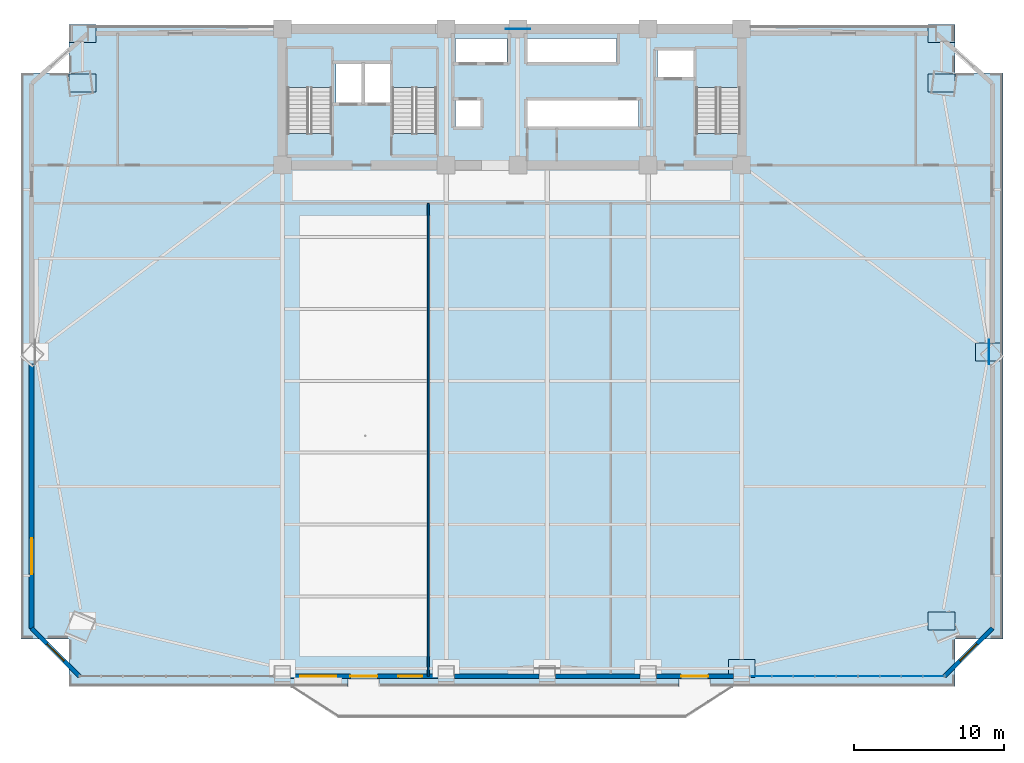
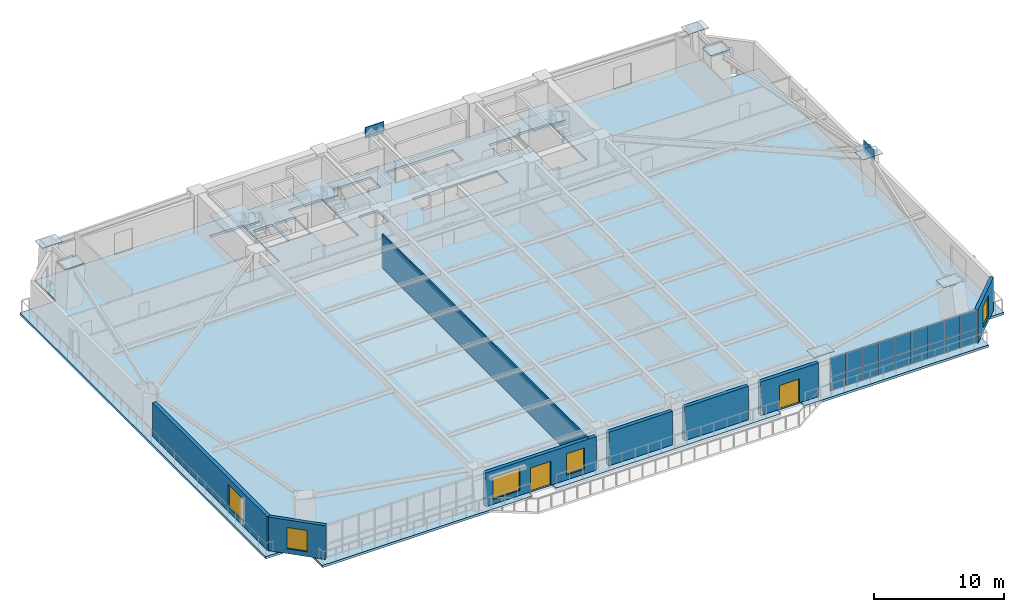
# One storey, part 8 of 17: 27 plates, 8 walls, 5 windows, 4 slabs, 2 doors, 7 openings, 4 elements without a shape of their own.
"""IFC4 building model written with IfcOpenShell, lengths in metres."""

import ifcopenshell
import ifcopenshell.guid

model = None  # the IFC model being written
_history = None  # IfcOwnerHistory: only IFC2X3 demands one
_inside = {}  # id of a spatial element -> (the spatial element, [elements in it])
_under = {}  # id of a project, library or spatial element -> (it, [spatial elements below it])
_declared = {}  # id of a project -> (the project, [libraries it declares])
_typed = {}  # id of a type object -> (the type object, [elements of that type])
_made_of = {}  # id of a material, layer set ... -> (it, [elements and type objects made of it])


def new_model(schema):
    """Start an empty IFC model of exactly this schema.

    Asked for "IFC4X3", IfcOpenShell would pick the latest addendum, in which some entities
    have other attributes; the version numbers below select the first issue.
    IFC2X3 requires an IfcOwnerHistory on every rooted entity: one is made here for all.
    """
    global model, _history
    if schema == "IFC4X3":
        model = ifcopenshell.file(schema_version=(4, 3, 0, 0))
    else:
        model = ifcopenshell.file(schema=schema)
    _inside.clear()
    _under.clear()
    _declared.clear()
    _typed.clear()
    _made_of.clear()
    _history = None
    if model.schema == "IFC2X3":
        org = make("IfcOrganization", Name="unknown")
        user = make(
            "IfcPersonAndOrganization",
            ThePerson=make("IfcPerson", FamilyName="unknown"),
            TheOrganization=org,
        )
        app = make(
            "IfcApplication",
            ApplicationDeveloper=org,
            Version="unknown",
            ApplicationFullName="unknown",
            ApplicationIdentifier="unknown",
        )
        _history = make(
            "IfcOwnerHistory",
            OwningUser=user,
            OwningApplication=app,
            ChangeAction="ADDED",
            CreationDate=0,
        )
    return model


def make(cls, **values):
    """One entity of the class cls with the attributes given. An attribute that is None is left unset."""
    return model.create_entity(
        cls, **{name: value for name, value in values.items() if value is not None}
    )


def rooted(cls, **values):
    """An entity with a GlobalId (a new one), such as an element, a storey or a relation."""
    return make(cls, GlobalId=ifcopenshell.guid.new(), OwnerHistory=_history, **values)


def si_unit(unit_type, name, prefix=None):
    """IfcSIUnit, for example si_unit("LENGTHUNIT", "METRE", prefix="MILLI")."""
    return make("IfcSIUnit", UnitType=unit_type, Prefix=prefix, Name=name)


def assignment(units):
    """IfcUnitAssignment: the units of a project."""
    return None if units is None else make("IfcUnitAssignment", Units=units)


def point(xyz):
    """IfcCartesianPoint."""
    return None if xyz is None else make("IfcCartesianPoint", Coordinates=xyz)


def direction(xyz):
    """IfcDirection."""
    return None if xyz is None else make("IfcDirection", DirectionRatios=xyz)


def frame(location, z_axis=None, x_axis=None):
    """IfcAxis2Placement3D, a coordinate frame: its origin and axes. An axis left out is left unset."""
    return make(
        "IfcAxis2Placement3D",
        Location=point(location),
        Axis=direction(z_axis),
        RefDirection=direction(x_axis),
    )


def frame_2d(location, x_axis=None):
    """IfcAxis2Placement2D, a coordinate frame in the plane: its origin and x axis."""
    return make(
        "IfcAxis2Placement2D", Location=point(location), RefDirection=direction(x_axis)
    )


def origin():
    """The frame at (0, 0, 0) with its axes left unset."""
    return frame((0.0, 0.0, 0.0))


def origin_2d():
    """The frame at (0, 0) in the plane with its x axis left unset."""
    return frame_2d((0.0, 0.0))


def place(relative_to, where):
    """IfcLocalPlacement: puts the frame where relative to a parent placement (None: the world)."""
    return make(
        "IfcLocalPlacement", PlacementRelTo=relative_to, RelativePlacement=where
    )


def context(
    kind, dimensions, precision=None, world=None, true_north=None, identifier=None
):
    """IfcGeometricRepresentationContext, for example the 3D "Model" context."""
    return make(
        "IfcGeometricRepresentationContext",
        ContextIdentifier=identifier,
        ContextType=kind,
        CoordinateSpaceDimension=dimensions,
        Precision=precision,
        WorldCoordinateSystem=world,
        TrueNorth=true_north,
    )


def subcontext(parent, identifier, kind, view, scale=None):
    """IfcGeometricRepresentationSubContext, for example "Body" below "Model"."""
    return make(
        "IfcGeometricRepresentationSubContext",
        ContextIdentifier=identifier,
        ContextType=kind,
        ParentContext=parent,
        TargetScale=scale,
        TargetView=view,
    )


def project(units=None, contexts=None):
    """IfcProject with its units and contexts."""
    return rooted(
        "IfcProject",
        Name="project",
        RepresentationContexts=contexts,
        UnitsInContext=assignment(units),
    )


def spatial(cls, under=None, at=None, **own):
    """A site, building, storey or space (cls), placed at a placement, below another one or the project."""
    s = rooted(cls, ObjectPlacement=at, **own)
    if under is not None:
        _under.setdefault(under.id(), (under, []))[1].append(s)
    return s


def polyline(points):
    """IfcPolyline through the points."""
    return make("IfcPolyline", Points=[point(p) for p in points])


def profile(cls, at=None, kind="AREA", **sizes):
    """A parametric profile (cls). Its sizes go by their IFC names, for example OverallWidth=200.0."""
    return make(cls, ProfileType=kind, Position=at, **sizes)


def rectangle(**sizes):
    """IfcRectangleProfileDef."""
    return profile("IfcRectangleProfileDef", **sizes)


def outline(outer, holes=None, kind="AREA"):
    """IfcArbitraryClosedProfileDef: a profile drawn as a closed curve; with holes, ...WithVoids."""
    if holes is None:
        return make("IfcArbitraryClosedProfileDef", ProfileType=kind, OuterCurve=outer)
    return make(
        "IfcArbitraryProfileDefWithVoids",
        ProfileType=kind,
        OuterCurve=outer,
        InnerCurves=holes,
    )


def extrude(swept, where, along, depth):
    """IfcExtrudedAreaSolid: the profile swept, set in the frame where, extruded along a direction by depth."""
    return make(
        "IfcExtrudedAreaSolid",
        SweptArea=swept,
        Position=where,
        ExtrudedDirection=direction(along),
        Depth=depth,
    )


def shape(context_of_items, identifier, shape_type, items):
    """IfcShapeRepresentation: the items that make up one representation, for example the "Body"."""
    return make(
        "IfcShapeRepresentation",
        ContextOfItems=context_of_items,
        RepresentationIdentifier=identifier,
        RepresentationType=shape_type,
        Items=items,
    )


def source(mapping_origin, context_of_items, identifier, shape_type, items):
    """IfcRepresentationMap: a shape defined once, which mapped items show again and again."""
    return make(
        "IfcRepresentationMap",
        MappingOrigin=mapping_origin,
        MappedRepresentation=shape(context_of_items, identifier, shape_type, items),
    )


def transform(
    local_origin,
    x_axis=None,
    y_axis=None,
    z_axis=None,
    scale=None,
    scale2=None,
    scale3=None,
    uniform=True,
):
    """IfcCartesianTransformationOperator3D, or its non-uniform kind. x_axis, y_axis, z_axis: its Axis1, 2, 3."""
    if uniform:
        return make(
            "IfcCartesianTransformationOperator3D",
            Axis1=direction(x_axis),
            Axis2=direction(y_axis),
            LocalOrigin=point(local_origin),
            Scale=scale,
            Axis3=direction(z_axis),
        )
    return make(
        "IfcCartesianTransformationOperator3DnonUniform",
        Axis1=direction(x_axis),
        Axis2=direction(y_axis),
        LocalOrigin=point(local_origin),
        Scale=scale,
        Axis3=direction(z_axis),
        Scale2=scale2,
        Scale3=scale3,
    )


def mapped(mapping_source, mapping_target):
    """IfcMappedItem: shows the shape of a source again, moved by a transform."""
    return make(
        "IfcMappedItem", MappingSource=mapping_source, MappingTarget=mapping_target
    )


def material(Name=None, Category=None):
    """IfcMaterial."""
    return make("IfcMaterial", Name=Name, Category=Category)


def layer(
    of_material, thickness, ventilated=None, Name=None, Category=None, Priority=None
):
    """IfcMaterialLayer: one layer of a wall or slab, of a material (None: an air gap)."""
    return make(
        "IfcMaterialLayer",
        Material=of_material,
        LayerThickness=thickness,
        IsVentilated=ventilated,
        Name=Name,
        Category=Category,
        Priority=Priority,
    )


def layer_set(layers, Name=None):
    """IfcMaterialLayerSet."""
    return make("IfcMaterialLayerSet", MaterialLayers=layers, LayerSetName=Name)


def made_of(thing, what):
    """Note that an element or type object is made of a material, layer set ...; save() writes the relation."""
    if what is not None:
        _made_of.setdefault(what.id(), (what, []))[1].append(thing)
    return thing


def type_object(cls, material=None, **own):
    """A type object (cls), such as IfcWallType, which elements share."""
    return made_of(rooted(cls, **own), material)


def element(
    cls,
    number,
    at=None,
    inside=None,
    cuts=None,
    type_object=None,
    material=None,
    context=None,
    identifier="Body",
    shape_type=None,
    held_by="IfcProductDefinitionShape",
    body=None,
    shapes=None,
    **own,
):
    """One element of the class cls, such as IfcWall. Its Tag is "e" and its number.

    at: its placement. inside: the storey or other place that contains it. cuts: it is an
    opening in that element (IfcRelVoidsElement). A single representation is given by context,
    identifier, shape_type and body (its items); several are given by shapes. held_by: the class
    of the entity that holds the representations. save() writes the other relations.
    """
    e = rooted(cls, Tag="e%d" % number, ObjectPlacement=at, **own)
    if body is not None:
        shapes = [shape(context, identifier, shape_type, body)]
    if shapes is not None:
        e.Representation = make(held_by, Representations=shapes)
    if inside is not None:
        _inside.setdefault(inside.id(), (inside, []))[1].append(e)
    if cuts is not None:
        rooted(
            "IfcRelVoidsElement", RelatingBuildingElement=cuts, RelatedOpeningElement=e
        )
    if type_object is not None:
        _typed.setdefault(type_object.id(), (type_object, []))[1].append(e)
    return made_of(e, material)


def fill(opening, filler):
    """IfcRelFillsElement: the door or window that sits in an opening."""
    return rooted(
        "IfcRelFillsElement",
        RelatingOpeningElement=opening,
        RelatedBuildingElement=filler,
    )


def aggregate(whole, parts):
    """IfcRelAggregates: a whole, such as a stair, and the parts it consists of."""
    return rooted("IfcRelAggregates", RelatingObject=whole, RelatedObjects=parts)


def save(model, path):
    """Write the relations noted so far, then the file.

    IfcRelAggregates (storeys below a building ...), IfcRelContainedInSpatialStructure (elements
    in a storey), IfcRelDefinesByType, IfcRelAssociatesMaterial and IfcRelDeclares: one each for
    every whole, place, type object, material and project.
    """
    for whole, parts in _under.values():
        aggregate(whole, parts)
    for where, things in _inside.values():
        rooted(
            "IfcRelContainedInSpatialStructure",
            RelatedElements=things,
            RelatingStructure=where,
        )
    for kind, things in _typed.values():
        rooted("IfcRelDefinesByType", RelatedObjects=things, RelatingType=kind)
    for what, things in _made_of.values():
        rooted("IfcRelAssociatesMaterial", RelatedObjects=things, RelatingMaterial=what)
    for by, libraries in _declared.values():
        rooted("IfcRelDeclares", RelatingContext=by, RelatedDefinitions=libraries)
    model.write(path)


model = new_model("IFC4")

# Units and contexts
model_context = context("Model", 3, precision=1e-05, world=origin(), true_north=direction((0.0, 1.0)))
body_context = subcontext(model_context, "Body", "Model", "MODEL_VIEW")
ifc_project = project(units=[si_unit("LENGTHUNIT", "METRE"), si_unit("AREAUNIT", "SQUARE_METRE"), si_unit("VOLUMEUNIT", "CUBIC_METRE"), si_unit("PLANEANGLEUNIT", "RADIAN"), si_unit("MASSUNIT", "GRAM", prefix="KILO")], contexts=[model_context])

# Site, building, storey
site_placement = place(None, origin())
site = spatial("IfcSite", under=ifc_project, at=site_placement, CompositionType="ELEMENT")
building_placement = place(site_placement, origin())
building = spatial("IfcBuilding", under=site, at=building_placement, Name="Giltprow Tower", CompositionType="ELEMENT")
storey_placement = place(building_placement, frame((0.0, 0.0, 33.199951171875)))
storey = spatial("IfcBuildingStorey", under=building, at=storey_placement, Name="L08", CompositionType="ELEMENT", Elevation=33.199951171875)

# Slab
ifc_material_1 = material(Name="Concrete C40", Category="concrete")
ifc_layer_1 = layer(ifc_material_1, 0.219970703125, Name="Concrete C40")
ifc_layer_set_1 = layer_set([ifc_layer_1], Name="Concrete C40")
slab_type_1 = type_object("IfcSlabType", Name="SLB-OFF-220", PredefinedType="FLOOR", material=ifc_layer_set_1)
slab_1_placement = place(storey_placement, frame((0.0, 0.0, -0.219970703125)))
element("IfcSlab", 1, at=slab_1_placement, inside=storey, type_object=slab_type_1, Name="L08 Structural Composite Floor Slab", PredefinedType="FLOOR", context=body_context, shape_type="SweptSolid", body=[
    extrude(outline(polyline([(5.60009765625, 2.60009765625), (5.60009765625, 5.800048828125), (2.39990234375, 5.800048828125), (2.39990234375, 43.60009765625), (5.60009765625, 43.60009765625), (5.60009765625, 46.800048828125), (64.800048828125, 46.800048828125), (64.800048828125, 43.60009765625), (68.0, 43.60009765625), (68.0, 5.800048828125), (64.800048828125, 5.800048828125), (64.800048828125, 2.60009765625), (48.449951171875, 2.60009765625), (48.449951171875, 3.1201171875), (46.35009765625, 3.1201171875), (46.35009765625, 2.60009765625), (26.35009765625, 2.60009765625), (26.35009765625, 3.1201171875), (24.25, 3.1201171875), (24.25, 2.60009765625), (5.60009765625, 2.60009765625)]), holes=[polyline([(33.10009765625, 41.800048828125), (31.419921875, 41.800048828125), (31.419921875, 40.0), (33.10009765625, 40.0), (33.10009765625, 41.800048828125)]), polyline([(23.159912109375, 39.570068359375), (23.159912109375, 45.25), (20.199951171875, 45.25), (20.199951171875, 39.570068359375), (23.159912109375, 39.570068359375)]), polyline([(30.159912109375, 45.25), (27.199951171875, 45.25), (27.199951171875, 39.570068359375), (30.159912109375, 39.570068359375), (30.159912109375, 45.25)]), polyline([(25.169921875, 41.60009765625), (25.169921875, 44.199951171875), (23.449951171875, 44.199951171875), (23.449951171875, 41.60009765625), (25.169921875, 41.60009765625)]), polyline([(27.10009765625, 41.60009765625), (27.10009765625, 44.199951171875), (25.35009765625, 44.199951171875), (25.35009765625, 41.60009765625), (27.10009765625, 41.60009765625)]), polyline([(43.659912109375, 40.0), (43.659912109375, 41.800048828125), (36.239990234375, 41.800048828125), (36.239990234375, 40.0), (43.659912109375, 40.0)]), polyline([(50.4599609375, 39.570068359375), (50.4599609375, 45.25), (47.5, 45.25), (47.5, 39.570068359375), (50.4599609375, 39.570068359375)]), polyline([(47.3798828125, 45.10009765625), (44.919921875, 45.10009765625), (44.919921875, 43.300048828125), (47.3798828125, 43.300048828125), (47.3798828125, 45.10009765625)]), polyline([(34.8798828125, 44.300048828125), (34.8798828125, 45.919921875), (31.419921875, 45.919921875), (31.419921875, 44.300048828125), (34.8798828125, 44.300048828125)]), polyline([(42.169921875, 44.300048828125), (42.169921875, 45.919921875), (36.239990234375, 45.919921875), (36.239990234375, 44.300048828125), (42.169921875, 44.300048828125)])]), origin(), (0.0, 0.0, 1.0), 0.219970703125),
])

# Stair, slab
stair_type_1 = type_object("IfcStairType", Name="STR-ST-1", PredefinedType="HALF_TURN_STAIR", material=ifc_material_1)
stair_1_placement = place(storey_placement, origin())
stair_1 = element("IfcStair", 2, at=stair_1_placement, inside=storey, type_object=stair_type_1, Name="L08 Core Exit Stair ST-1", PredefinedType="HALF_TURN_STAIR")
ifc_layer_2 = layer(ifc_material_1, 0.179931640625, Name="Concrete C40")
ifc_layer_set_2 = layer_set([ifc_layer_2], Name="Concrete C40")
slab_type_2 = type_object("IfcSlabType", Name="SLD-ST-1", PredefinedType="LANDING", material=ifc_layer_set_2)
slab_2_placement = place(storey_placement, frame((0.0, 0.0, 1.77001953125)))
slab_2 = element("IfcSlab", 3, at=slab_2_placement, type_object=slab_type_2, Name="ST-1 landing 1", PredefinedType="LANDING", context=body_context, shape_type="SweptSolid", body=[
    extrude(outline(polyline([(23.159912109375, 42.6298828125), (23.159912109375, 45.25), (20.199951171875, 45.25), (20.199951171875, 42.6298828125), (23.159912109375, 42.6298828125)])), origin(), (0.0, 0.0, 1.0), 0.179931640625),
])
aggregate(stair_1, [slab_2])

stair_type_2 = type_object("IfcStairType", Name="STR-ST-2", PredefinedType="HALF_TURN_STAIR", material=ifc_material_1)
stair_2_placement = place(storey_placement, origin())
stair_2 = element("IfcStair", 4, at=stair_2_placement, inside=storey, type_object=stair_type_2, Name="L08 Core Exit Stair ST-2", PredefinedType="HALF_TURN_STAIR")
ifc_layer_3 = layer(ifc_material_1, 0.18798828125, Name="Concrete C40")
ifc_layer_set_3 = layer_set([ifc_layer_3], Name="Concrete C40")
slab_type_3 = type_object("IfcSlabType", Name="SLD-ST-2", PredefinedType="LANDING", material=ifc_layer_set_3)
slab_3_placement = place(storey_placement, frame((0.0, 0.0, 1.761962890625)))
slab_3 = element("IfcSlab", 5, at=slab_3_placement, type_object=slab_type_3, Name="ST-2 landing 1", PredefinedType="LANDING", context=body_context, shape_type="SweptSolid", body=[
    extrude(outline(polyline([(30.159912109375, 42.6298828125), (30.159912109375, 45.25), (27.199951171875, 45.25), (27.199951171875, 42.6298828125), (30.159912109375, 42.6298828125)])), origin(), (0.0, 0.0, 1.0), 0.18798828125),
])
aggregate(stair_2, [slab_3])

stair_type_3 = type_object("IfcStairType", Name="STR-ST-3", PredefinedType="HALF_TURN_STAIR", material=ifc_material_1)
stair_3_placement = place(storey_placement, origin())
stair_3 = element("IfcStair", 6, at=stair_3_placement, inside=storey, type_object=stair_type_3, Name="L08 Core Exit Stair ST-3", PredefinedType="HALF_TURN_STAIR")
ifc_layer_4 = layer(ifc_material_1, 0.196044921875, Name="Concrete C40")
ifc_layer_set_4 = layer_set([ifc_layer_4], Name="Concrete C40")
slab_type_4 = type_object("IfcSlabType", Name="SLD-ST-3", PredefinedType="LANDING", material=ifc_layer_set_4)
slab_4_placement = place(storey_placement, frame((0.0, 0.0, 1.754150390625)))
slab_4 = element("IfcSlab", 7, at=slab_4_placement, type_object=slab_type_4, Name="ST-3 landing 1", PredefinedType="LANDING", context=body_context, shape_type="SweptSolid", body=[
    extrude(outline(polyline([(50.4599609375, 42.6298828125), (50.4599609375, 45.25), (47.5, 45.25), (47.5, 42.6298828125), (50.4599609375, 42.6298828125)])), origin(), (0.0, 0.0, 1.0), 0.19580078125),
])
aggregate(stair_3, [slab_4])

# Plates
ifc_material_2 = material(Name="Structural steel Q420GJC", Category="steel")
plate_type_1 = type_object("IfcPlateType", Name="PLT-NODE-CKN1", PredefinedType="USERDEFINED", material=ifc_material_2)
shared_shape_1 = source(origin(), body_context, "Body", "SweptSolid", [
    extrude(rectangle(XDim=1.800048828125, YDim=1.199951171875, at=origin_2d()), origin(), (0.0, 0.0, 1.0), 0.044921875),
])
for number, where, z_axis, x_axis, name in (
    (8, (63.89111328125, 7.0009765625, 3.6376953125), (0.0, 0.0, 1.0), (1.0, 0.0, 0.0), "CKN1 Column Taper Splice Node L08-MC_SE"),
    (9, (6.509033203125, 42.926025390625, 3.6376953125), (0.0, 0.0, 1.0), (1.0, 0.0, 0.0), "CKN1 Column Taper Splice Node L08-MC_NW"),
    (10, (63.89111328125, 42.926025390625, 3.6376953125), (0.0, 0.0, 1.0), (1.0, 0.0, 0.0), "CKN1 Column Taper Splice Node L08-MC_NE"),
    (11, (50.550048828125, 3.826904296875, 3.6376953125), (0.0, 0.0, 1.0), (1.0, 0.0, 0.0), "CKN1 Column Taper Splice Node L08-S4"),
    (12, (67.06494140625, 24.962890625, 3.6376953125), (0.0, 0.0, 1.0), (1.0, 0.0, 0.0), "CKN1 Column Taper Splice Node L08-E_MID"),
    (13, (6.509033203125, 46.25, 3.6376953125), (0.0, 0.0, 1.0), (1.0, 0.0, 0.0), "CKN1 Column Taper Splice Node L08-N_W"),
    (14, (63.89111328125, 46.25, 3.6376953125), (0.0, 0.0, 1.0), (1.0, 0.0, 0.0), "CKN1 Column Taper Splice Node L08-N_E"),
):
    element("IfcPlate", number, at=place(storey_placement, frame(where, z_axis=z_axis, x_axis=x_axis)), inside=storey, type_object=plate_type_1, Name=name, ObjectType="SPLICE", PredefinedType="USERDEFINED", context=body_context, shape_type="MappedRepresentation", body=[
        mapped(shared_shape_1, transform((0.0, 0.0, 0.0), x_axis=(1.0, 0.0, 0.0), y_axis=(0.0, 1.0, 0.0), z_axis=(0.0, 0.0, 1.0), scale=1.0)),
    ])
plate_type_2 = type_object("IfcPlateType", Name="PLT-NODE-MBN2", PredefinedType="USERDEFINED", material=ifc_material_2)
shared_shape_2 = source(origin(), body_context, "Body", "SweptSolid", [
    extrude(rectangle(XDim=1.64990234375, YDim=0.044921875, at=origin_2d()), origin(), (0.0, 0.0, 1.0), 1.050048828125),
])
for number, where, z_axis, x_axis, name in (
    (15, (35.60009765625, 46.550048828125, 3.23486328125), (0.0, 0.0, 1.0), (1.0, 0.0, 0.0), "Mega-Brace Node L08-N-LB"),
    (16, (67.06494140625, 24.962890625, 3.375), (0.0, 0.0, 1.0), (0.0, 1.0, 0.0), "Mega-Brace Node L08-E-RB"),
):
    element("IfcPlate", number, at=place(storey_placement, frame(where, z_axis=z_axis, x_axis=x_axis)), inside=storey, type_object=plate_type_2, Name=name, ObjectType="GUSSET", PredefinedType="USERDEFINED", context=body_context, shape_type="MappedRepresentation", body=[
        mapped(shared_shape_2, transform((0.0, 0.0, 0.0), x_axis=(1.0, 0.0, 0.0), y_axis=(0.0, 1.0, 0.0), z_axis=(0.0, 0.0, 1.0), scale=1.0)),
    ])

# Curtain wall, plates
ifc_material_3 = material(Name="Anodized bronze", Category="metal")
ifc_layer_5 = layer(ifc_material_3, 0.179931640625, Name="Anodized bronze")
ifc_layer_set_5 = layer_set([ifc_layer_5], Name="Anodized bronze")
curtain_wall_type = type_object("IfcCurtainWallType", Name="CW-OFF-RECESSED", PredefinedType="NOTDEFINED", material=ifc_layer_set_5)
curtain_wall_placement = place(storey_placement, origin())
curtain_wall = element("IfcCurtainWall", 17, at=curtain_wall_placement, inside=storey, type_object=curtain_wall_type, Name="L08 South Recessed Curtain Wall 6", PredefinedType="NOTDEFINED")
ifc_material_4 = material(Name="Insulated glass", Category="glass")
plate_type_3 = type_object("IfcPlateType", Name="CW-PANEL-IGU-28", PredefinedType="CURTAIN_PANEL", material=ifc_material_4)
shared_shape_3 = source(origin(), body_context, "Body", "SweptSolid", [
    extrude(rectangle(XDim=1.4140625, YDim=0.028076171875, at=origin_2d()), origin(), (0.0, 0.0, 1.0), 1.259033203125),
])
plate_1_placement = place(storey_placement, frame((51.822021484375, 3.300048828125, 0.0537109375), z_axis=(0.0, 0.0, 1.0), x_axis=(1.0, 0.0, 0.0)))
plate_1 = element("IfcPlate", 18, at=plate_1_placement, type_object=plate_type_3, Name="L08 South Recessed Curtain Wall 6 Glazing Panel 1-1", PredefinedType="CURTAIN_PANEL", context=body_context, shape_type="MappedRepresentation", body=[
    mapped(shared_shape_3, transform((0.0, 0.0, 0.0), x_axis=(1.0, 0.0, 0.0), y_axis=(0.0, 1.0, 0.0), z_axis=(0.0, 0.0, 1.0), scale=1.0)),
])
plate_2_placement = place(storey_placement, frame((53.26708984375, 3.300048828125, 0.0537109375), z_axis=(0.0, 0.0, 1.0), x_axis=(1.0, 0.0, 0.0)))
plate_2 = element("IfcPlate", 19, at=plate_2_placement, type_object=plate_type_3, Name="L08 South Recessed Curtain Wall 6 Glazing Panel 2-1", PredefinedType="CURTAIN_PANEL", context=body_context, shape_type="MappedRepresentation", body=[
    mapped(shared_shape_3, transform((0.0, 0.0, 0.0), x_axis=(1.0, 0.0, 0.0), y_axis=(0.0, 1.0, 0.0), z_axis=(0.0, 0.0, 1.0), scale=1.0)),
])
plate_3_placement = place(storey_placement, frame((54.7109375, 3.300048828125, 0.0537109375), z_axis=(0.0, 0.0, 1.0), x_axis=(1.0, 0.0, 0.0)))
plate_3 = element("IfcPlate", 20, at=plate_3_placement, type_object=plate_type_3, Name="L08 South Recessed Curtain Wall 6 Glazing Panel 3-1", PredefinedType="CURTAIN_PANEL", context=body_context, shape_type="MappedRepresentation", body=[
    mapped(shared_shape_3, transform((0.0, 0.0, 0.0), x_axis=(1.0, 0.0, 0.0), y_axis=(0.0, 1.0, 0.0), z_axis=(0.0, 0.0, 1.0), scale=1.0)),
])
plate_4_placement = place(storey_placement, frame((56.156005859375, 3.300048828125, 0.0537109375), z_axis=(0.0, 0.0, 1.0), x_axis=(1.0, 0.0, 0.0)))
plate_4 = element("IfcPlate", 21, at=plate_4_placement, type_object=plate_type_3, Name="L08 South Recessed Curtain Wall 6 Glazing Panel 4-1", PredefinedType="CURTAIN_PANEL", context=body_context, shape_type="MappedRepresentation", body=[
    mapped(shared_shape_3, transform((0.0, 0.0, 0.0), x_axis=(1.0, 0.0, 0.0), y_axis=(0.0, 1.0, 0.0), z_axis=(0.0, 0.0, 1.0), scale=1.0)),
])
plate_5_placement = place(storey_placement, frame((57.60009765625, 3.300048828125, 0.0537109375), z_axis=(0.0, 0.0, 1.0), x_axis=(1.0, 0.0, 0.0)))
plate_5 = element("IfcPlate", 22, at=plate_5_placement, type_object=plate_type_3, Name="L08 South Recessed Curtain Wall 6 Glazing Panel 5-1", PredefinedType="CURTAIN_PANEL", context=body_context, shape_type="MappedRepresentation", body=[
    mapped(shared_shape_3, transform((0.0, 0.0, 0.0), x_axis=(1.0, 0.0, 0.0), y_axis=(0.0, 1.0, 0.0), z_axis=(0.0, 0.0, 1.0), scale=1.0)),
])
plate_6_placement = place(storey_placement, frame((59.0439453125, 3.300048828125, 0.0537109375), z_axis=(0.0, 0.0, 1.0), x_axis=(1.0, 0.0, 0.0)))
plate_6 = element("IfcPlate", 23, at=plate_6_placement, type_object=plate_type_3, Name="L08 South Recessed Curtain Wall 6 Glazing Panel 6-1", PredefinedType="CURTAIN_PANEL", context=body_context, shape_type="MappedRepresentation", body=[
    mapped(shared_shape_3, transform((0.0, 0.0, 0.0), x_axis=(1.0, 0.0, 0.0), y_axis=(0.0, 1.0, 0.0), z_axis=(0.0, 0.0, 1.0), scale=1.0)),
])
plate_7_placement = place(storey_placement, frame((60.489013671875, 3.300048828125, 0.0537109375), z_axis=(0.0, 0.0, 1.0), x_axis=(1.0, 0.0, 0.0)))
plate_7 = element("IfcPlate", 24, at=plate_7_placement, type_object=plate_type_3, Name="L08 South Recessed Curtain Wall 6 Glazing Panel 7-1", PredefinedType="CURTAIN_PANEL", context=body_context, shape_type="MappedRepresentation", body=[
    mapped(shared_shape_3, transform((0.0, 0.0, 0.0), x_axis=(1.0, 0.0, 0.0), y_axis=(0.0, 1.0, 0.0), z_axis=(0.0, 0.0, 1.0), scale=1.0)),
])
plate_8_placement = place(storey_placement, frame((61.93310546875, 3.300048828125, 0.0537109375), z_axis=(0.0, 0.0, 1.0), x_axis=(1.0, 0.0, 0.0)))
plate_8 = element("IfcPlate", 25, at=plate_8_placement, type_object=plate_type_3, Name="L08 South Recessed Curtain Wall 6 Glazing Panel 8-1", PredefinedType="CURTAIN_PANEL", context=body_context, shape_type="MappedRepresentation", body=[
    mapped(shared_shape_3, transform((0.0, 0.0, 0.0), x_axis=(1.0, 0.0, 0.0), y_axis=(0.0, 1.0, 0.0), z_axis=(0.0, 0.0, 1.0), scale=1.0)),
])
plate_9_placement = place(storey_placement, frame((63.3779296875, 3.300048828125, 0.0537109375), z_axis=(0.0, 0.0, 1.0), x_axis=(1.0, 0.0, 0.0)))
plate_9 = element("IfcPlate", 26, at=plate_9_placement, type_object=plate_type_3, Name="L08 South Recessed Curtain Wall 6 Glazing Panel 9-1", PredefinedType="CURTAIN_PANEL", context=body_context, shape_type="MappedRepresentation", body=[
    mapped(shared_shape_3, transform((0.0, 0.0, 0.0), x_axis=(1.0, 0.0, 0.0), y_axis=(0.0, 1.0, 0.0), z_axis=(0.0, 0.0, 1.0), scale=1.0)),
])
shared_shape_4 = source(origin(), body_context, "Body", "SweptSolid", [
    extrude(rectangle(XDim=1.4140625, YDim=0.028076171875, at=origin_2d()), origin(), (0.0, 0.0, 1.0), 1.764892578125),
])
plate_10_placement = place(storey_placement, frame((51.822021484375, 3.300048828125, 1.341796875), z_axis=(0.0, 0.0, 1.0), x_axis=(1.0, 0.0, 0.0)))
plate_10 = element("IfcPlate", 27, at=plate_10_placement, type_object=plate_type_3, Name="L08 South Recessed Curtain Wall 6 Glazing Panel 1-2", PredefinedType="CURTAIN_PANEL", context=body_context, shape_type="MappedRepresentation", body=[
    mapped(shared_shape_4, transform((0.0, 0.0, 0.0), x_axis=(1.0, 0.0, 0.0), y_axis=(0.0, 1.0, 0.0), z_axis=(0.0, 0.0, 1.0), scale=1.0)),
])
plate_11_placement = place(storey_placement, frame((53.26708984375, 3.300048828125, 1.341796875), z_axis=(0.0, 0.0, 1.0), x_axis=(1.0, 0.0, 0.0)))
plate_11 = element("IfcPlate", 28, at=plate_11_placement, type_object=plate_type_3, Name="L08 South Recessed Curtain Wall 6 Glazing Panel 2-2", PredefinedType="CURTAIN_PANEL", context=body_context, shape_type="MappedRepresentation", body=[
    mapped(shared_shape_4, transform((0.0, 0.0, 0.0), x_axis=(1.0, 0.0, 0.0), y_axis=(0.0, 1.0, 0.0), z_axis=(0.0, 0.0, 1.0), scale=1.0)),
])
plate_12_placement = place(storey_placement, frame((54.7109375, 3.300048828125, 1.341796875), z_axis=(0.0, 0.0, 1.0), x_axis=(1.0, 0.0, 0.0)))
plate_12 = element("IfcPlate", 29, at=plate_12_placement, type_object=plate_type_3, Name="L08 South Recessed Curtain Wall 6 Glazing Panel 3-2", PredefinedType="CURTAIN_PANEL", context=body_context, shape_type="MappedRepresentation", body=[
    mapped(shared_shape_4, transform((0.0, 0.0, 0.0), x_axis=(1.0, 0.0, 0.0), y_axis=(0.0, 1.0, 0.0), z_axis=(0.0, 0.0, 1.0), scale=1.0)),
])
plate_13_placement = place(storey_placement, frame((56.156005859375, 3.300048828125, 1.341796875), z_axis=(0.0, 0.0, 1.0), x_axis=(1.0, 0.0, 0.0)))
plate_13 = element("IfcPlate", 30, at=plate_13_placement, type_object=plate_type_3, Name="L08 South Recessed Curtain Wall 6 Glazing Panel 4-2", PredefinedType="CURTAIN_PANEL", context=body_context, shape_type="MappedRepresentation", body=[
    mapped(shared_shape_4, transform((0.0, 0.0, 0.0), x_axis=(1.0, 0.0, 0.0), y_axis=(0.0, 1.0, 0.0), z_axis=(0.0, 0.0, 1.0), scale=1.0)),
])
plate_14_placement = place(storey_placement, frame((57.60009765625, 3.300048828125, 1.341796875), z_axis=(0.0, 0.0, 1.0), x_axis=(1.0, 0.0, 0.0)))
plate_14 = element("IfcPlate", 31, at=plate_14_placement, type_object=plate_type_3, Name="L08 South Recessed Curtain Wall 6 Glazing Panel 5-2", PredefinedType="CURTAIN_PANEL", context=body_context, shape_type="MappedRepresentation", body=[
    mapped(shared_shape_4, transform((0.0, 0.0, 0.0), x_axis=(1.0, 0.0, 0.0), y_axis=(0.0, 1.0, 0.0), z_axis=(0.0, 0.0, 1.0), scale=1.0)),
])
plate_15_placement = place(storey_placement, frame((59.0439453125, 3.300048828125, 1.341796875), z_axis=(0.0, 0.0, 1.0), x_axis=(1.0, 0.0, 0.0)))
plate_15 = element("IfcPlate", 32, at=plate_15_placement, type_object=plate_type_3, Name="L08 South Recessed Curtain Wall 6 Glazing Panel 6-2", PredefinedType="CURTAIN_PANEL", context=body_context, shape_type="MappedRepresentation", body=[
    mapped(shared_shape_4, transform((0.0, 0.0, 0.0), x_axis=(1.0, 0.0, 0.0), y_axis=(0.0, 1.0, 0.0), z_axis=(0.0, 0.0, 1.0), scale=1.0)),
])
plate_16_placement = place(storey_placement, frame((60.489013671875, 3.300048828125, 1.341796875), z_axis=(0.0, 0.0, 1.0), x_axis=(1.0, 0.0, 0.0)))
plate_16 = element("IfcPlate", 33, at=plate_16_placement, type_object=plate_type_3, Name="L08 South Recessed Curtain Wall 6 Glazing Panel 7-2", PredefinedType="CURTAIN_PANEL", context=body_context, shape_type="MappedRepresentation", body=[
    mapped(shared_shape_4, transform((0.0, 0.0, 0.0), x_axis=(1.0, 0.0, 0.0), y_axis=(0.0, 1.0, 0.0), z_axis=(0.0, 0.0, 1.0), scale=1.0)),
])
plate_17_placement = place(storey_placement, frame((61.93310546875, 3.300048828125, 1.341796875), z_axis=(0.0, 0.0, 1.0), x_axis=(1.0, 0.0, 0.0)))
plate_17 = element("IfcPlate", 34, at=plate_17_placement, type_object=plate_type_3, Name="L08 South Recessed Curtain Wall 6 Glazing Panel 8-2", PredefinedType="CURTAIN_PANEL", context=body_context, shape_type="MappedRepresentation", body=[
    mapped(shared_shape_4, transform((0.0, 0.0, 0.0), x_axis=(1.0, 0.0, 0.0), y_axis=(0.0, 1.0, 0.0), z_axis=(0.0, 0.0, 1.0), scale=1.0)),
])
plate_18_placement = place(storey_placement, frame((63.3779296875, 3.300048828125, 1.341796875), z_axis=(0.0, 0.0, 1.0), x_axis=(1.0, 0.0, 0.0)))
plate_18 = element("IfcPlate", 35, at=plate_18_placement, type_object=plate_type_3, Name="L08 South Recessed Curtain Wall 6 Glazing Panel 9-2", PredefinedType="CURTAIN_PANEL", context=body_context, shape_type="MappedRepresentation", body=[
    mapped(shared_shape_4, transform((0.0, 0.0, 0.0), x_axis=(1.0, 0.0, 0.0), y_axis=(0.0, 1.0, 0.0), z_axis=(0.0, 0.0, 1.0), scale=1.0)),
])
aggregate(curtain_wall, [plate_1, plate_10, plate_2, plate_11, plate_3, plate_12, plate_4, plate_13, plate_5, plate_14, plate_6, plate_15, plate_7, plate_16, plate_8, plate_17, plate_9, plate_18])

# Wall, opening, window
ifc_material_5 = material(Name="Precast concrete C40", Category="concrete")
ifc_layer_6 = layer(ifc_material_5, 0.300048828125, Name="Precast concrete C40")
ifc_layer_set_6 = layer_set([ifc_layer_6], Name="Precast concrete C40")
wall_type_1 = type_object("IfcWallType", Name="EW-NOTCH-CHAMFER-300", PredefinedType="SOLIDWALL", material=ifc_layer_set_6)
wall_1_placement = place(storey_placement, frame((3.10009765625, 6.5, 0.0), z_axis=(0.0, 0.0, 1.0), x_axis=(0.707106781187, -0.707106781187, 0.0)))
wall_1 = element("IfcWall", 36, at=wall_1_placement, inside=storey, type_object=wall_type_1, Name="L08 Corner Notch Wall SW", PredefinedType="SOLIDWALL", context=body_context, shape_type="SweptSolid", body=[
    extrude(rectangle(XDim=4.525390625, YDim=0.300048828125, at=frame_2d((2.2626953125, 0.0))), origin(), (0.0, 0.0, 1.0), 3.16015625),
])
opening_1_placement = place(wall_1_placement, frame((1.462890625, 0.0, 0.449951171875)))
opening_1 = element("IfcOpeningElement", 37, at=opening_1_placement, cuts=wall_1, Name="Opening WN17", PredefinedType="OPENING", context=body_context, shape_type="SweptSolid", body=[
    extrude(rectangle(XDim=1.60009765625, YDim=2.0, at=frame_2d((0.800048828125, 1.0))), frame((0.0, 0.159912109375, 0.0), z_axis=(0.0, -1.0, 0.0), x_axis=(1.0, 0.0, 0.0)), (0.0, 0.0, 1.0), 0.320068359375),
])
window_type_1 = type_object("IfcWindowType", Name="WN-COR-1600x2000", PartitioningType="SINGLE_PANEL", PredefinedType="WINDOW", material=ifc_material_4)
shared_shape_5 = source(origin(), body_context, "Body", "SweptSolid", [
    extrude(rectangle(XDim=1.60009765625, YDim=2.0, at=frame_2d((0.800048828125, 1.0))), frame((0.0, 0.030029296875, 0.0), z_axis=(0.0, -1.0, 0.0), x_axis=(1.0, 0.0, 0.0)), (0.0, 0.0, 1.0), 0.06005859375),
])
window_1_placement = place(opening_1_placement, origin())
window_1 = element("IfcWindow", 38, at=window_1_placement, inside=storey, type_object=window_type_1, Name="L08 Corner Notch Window SW", OverallHeight=2.0, OverallWidth=1.60009765625, PartitioningType="SINGLE_PANEL", PredefinedType="WINDOW", context=body_context, shape_type="MappedRepresentation", body=[
    mapped(shared_shape_5, transform((0.0, 0.0, 0.0), x_axis=(1.0, 0.0, 0.0), y_axis=(0.0, 1.0, 0.0), z_axis=(0.0, 0.0, 1.0), scale=1.0)),
])
fill(opening_1, window_1)

wall_2_placement = place(storey_placement, frame((64.10009765625, 3.300048828125, 0.0), z_axis=(0.0, 0.0, 1.0), x_axis=(0.707106781187, 0.707106781187, 0.0)))
wall_2 = element("IfcWall", 39, at=wall_2_placement, inside=storey, type_object=wall_type_1, Name="L08 Corner Notch Wall SE", PredefinedType="SOLIDWALL", context=body_context, shape_type="SweptSolid", body=[
    extrude(rectangle(XDim=4.525390625, YDim=0.300048828125, at=frame_2d((2.2626953125, 0.0))), origin(), (0.0, 0.0, 1.0), 3.16015625),
])
opening_2_placement = place(wall_2_placement, frame((1.462890625, 0.0, 0.449951171875)))
opening_2 = element("IfcOpeningElement", 40, at=opening_2_placement, cuts=wall_2, Name="Opening WN17", PredefinedType="OPENING", context=body_context, shape_type="SweptSolid", body=[
    extrude(rectangle(XDim=1.60009765625, YDim=2.0, at=frame_2d((0.800048828125, 1.0))), frame((0.0, 0.159912109375, 0.0), z_axis=(0.0, -1.0, 0.0), x_axis=(1.0, 0.0, 0.0)), (0.0, 0.0, 1.0), 0.320068359375),
])
window_2_placement = place(opening_2_placement, origin())
window_2 = element("IfcWindow", 41, at=window_2_placement, inside=storey, type_object=window_type_1, Name="L08 Corner Notch Window SE", OverallHeight=2.0, OverallWidth=1.60009765625, PartitioningType="SINGLE_PANEL", PredefinedType="WINDOW", context=body_context, shape_type="MappedRepresentation", body=[
    mapped(shared_shape_5, transform((0.0, 0.0, 0.0), x_axis=(1.0, 0.0, 0.0), y_axis=(0.0, 1.0, 0.0), z_axis=(0.0, 0.0, 1.0), scale=1.0)),
])
fill(opening_2, window_2)

# Wall, openings, windows, door
ifc_layer_7 = layer(ifc_material_5, 0.320068359375, Name="Precast concrete C40")
ifc_layer_set_7 = layer_set([ifc_layer_7], Name="Precast concrete C40")
wall_type_2 = type_object("IfcWallType", Name="EW-TOW-STONE-320", PredefinedType="SOLIDWALL", material=ifc_layer_set_7)
wall_3_placement = place(storey_placement, frame((20.39990234375, 3.300048828125, 0.0), z_axis=(0.0, 0.0, 1.0), x_axis=(1.0, 0.0, 0.0)))
wall_3 = element("IfcWall", 42, at=wall_3_placement, inside=storey, type_object=wall_type_2, Name="L08 South Expressed Frame Wall 2", PredefinedType="SOLIDWALL", context=body_context, shape_type="SweptSolid", body=[
    extrude(rectangle(XDim=9.85009765625, YDim=0.320068359375, at=frame_2d((4.925048828125, 0.0))), origin(), (0.0, 0.0, 1.0), 3.16015625),
])
opening_3_placement = place(wall_3_placement, frame((4.0, 0.0, 0.0)))
opening_3 = element("IfcOpeningElement", 43, at=opening_3_placement, cuts=wall_3, Name="Opening ED25", PredefinedType="OPENING", context=body_context, shape_type="SweptSolid", body=[
    extrude(rectangle(XDim=1.800048828125, YDim=2.25, at=frame_2d((0.89990234375, 1.125))), frame((0.0, 0.169921875, 0.0), z_axis=(0.0, -1.0, 0.0), x_axis=(1.0, 0.0, 0.0)), (0.0, 0.0, 1.0), 0.340087890625),
])
opening_4_placement = place(wall_3_placement, frame((0.64990234375, 0.0, 0.449951171875)))
opening_4 = element("IfcOpeningElement", 44, at=opening_4_placement, cuts=wall_3, Name="Opening WN29", PredefinedType="OPENING", context=body_context, shape_type="SweptSolid", body=[
    extrude(rectangle(XDim=2.39990234375, YDim=2.10009765625, at=frame_2d((1.199951171875, 1.050048828125))), frame((0.0, 0.169921875, 0.0), z_axis=(0.0, -1.0, 0.0), x_axis=(1.0, 0.0, 0.0)), (0.0, 0.0, 1.0), 0.340087890625),
])
opening_5_placement = place(wall_3_placement, frame((7.199951171875, 0.0, 0.449951171875)))
opening_5 = element("IfcOpeningElement", 45, at=opening_5_placement, cuts=wall_3, Name="Opening WN17", PredefinedType="OPENING", context=body_context, shape_type="SweptSolid", body=[
    extrude(rectangle(XDim=1.60009765625, YDim=2.0, at=frame_2d((0.800048828125, 1.0))), frame((0.0, 0.169921875, 0.0), z_axis=(0.0, -1.0, 0.0), x_axis=(1.0, 0.0, 0.0)), (0.0, 0.0, 1.0), 0.340087890625),
])
window_type_2 = type_object("IfcWindowType", Name="WN-OFF-2400x2100", PartitioningType="DOUBLE_PANEL_VERTICAL", PredefinedType="WINDOW", material=ifc_material_4)
shared_shape_6 = source(origin(), body_context, "Body", "SweptSolid", [
    extrude(rectangle(XDim=2.39990234375, YDim=2.10009765625, at=frame_2d((1.199951171875, 1.050048828125))), frame((0.0, 0.030029296875, 0.0), z_axis=(0.0, -1.0, 0.0), x_axis=(1.0, 0.0, 0.0)), (0.0, 0.0, 1.0), 0.06005859375),
])
window_3_placement = place(opening_4_placement, origin())
window_3 = element("IfcWindow", 46, at=window_3_placement, inside=storey, type_object=window_type_2, Name="L08 South Window 2A", OverallHeight=2.10009765625, OverallWidth=2.39990234375, PartitioningType="SINGLE_PANEL", PredefinedType="WINDOW", context=body_context, shape_type="MappedRepresentation", body=[
    mapped(shared_shape_6, transform((0.0, 0.0, 0.0), x_axis=(1.0, 0.0, 0.0), y_axis=(0.0, 1.0, 0.0), z_axis=(0.0, 0.0, 1.0), scale=1.0)),
])
fill(opening_4, window_3)
window_4_placement = place(opening_5_placement, origin())
window_4 = element("IfcWindow", 47, at=window_4_placement, inside=storey, type_object=window_type_1, Name="L08 South Window 2B", OverallHeight=2.0, OverallWidth=1.60009765625, PartitioningType="SINGLE_PANEL", PredefinedType="WINDOW", context=body_context, shape_type="MappedRepresentation", body=[
    mapped(shared_shape_5, transform((0.0, 0.0, 0.0), x_axis=(1.0, 0.0, 0.0), y_axis=(0.0, 1.0, 0.0), z_axis=(0.0, 0.0, 1.0), scale=1.0)),
])
fill(opening_5, window_4)
ifc_material_6 = material(Name="Anodized bronze and glass", Category="glass")
door_type = type_object("IfcDoorType", Name="DR-BALC-SLIDE-1800", OperationType="SLIDING_TO_LEFT", PredefinedType="DOOR", material=ifc_material_6)
shared_shape_7 = source(origin(), body_context, "Body", "SweptSolid", [
    extrude(rectangle(XDim=1.800048828125, YDim=2.25, at=frame_2d((0.89990234375, 1.125))), frame((0.0, 0.02490234375, 0.0), z_axis=(0.0, -1.0, 0.0), x_axis=(1.0, 0.0, 0.0)), (0.0, 0.0, 1.0), 0.050048828125),
])
door_1_placement = place(opening_3_placement, origin())
door_1 = element("IfcDoor", 48, at=door_1_placement, inside=storey, type_object=door_type, Name="L08 Waterfront Balcony Sliding Door 1", OperationType="SLIDING_TO_LEFT", OverallHeight=2.25, OverallWidth=1.800048828125, PredefinedType="DOOR", context=body_context, shape_type="MappedRepresentation", body=[
    mapped(shared_shape_7, transform((0.0, 0.0, 0.0), x_axis=(1.0, 0.0, 0.0), y_axis=(0.0, 1.0, 0.0), z_axis=(0.0, 0.0, 1.0), scale=1.0)),
])
fill(opening_3, door_1)

# Walls
for number, where, z_axis, x_axis, name in (
    (49, (31.35009765625, 3.300048828125, 0.0), (0.0, 0.0, 1.0), (1.0, 0.0, 0.0), "L08 South Expressed Frame Wall 3"),
    (50, (38.10009765625, 3.300048828125, 0.0), (0.0, 0.0, 1.0), (1.0, 0.0, 0.0), "L08 South Expressed Frame Wall 4"),
):
    element("IfcWall", number, at=place(storey_placement, frame(where, z_axis=z_axis, x_axis=x_axis)), inside=storey, type_object=wall_type_2, Name=name, PredefinedType="SOLIDWALL", context=body_context, shape_type="SweptSolid", body=[
        extrude(rectangle(XDim=5.64990234375, YDim=0.320068359375, at=frame_2d((2.824951171875, 0.0))), origin(), (0.0, 0.0, 1.0), 3.16015625),
    ])

# Wall, opening, door
wall_4_placement = place(storey_placement, frame((44.85009765625, 3.300048828125, 0.0), z_axis=(0.0, 0.0, 1.0), x_axis=(1.0, 0.0, 0.0)))
wall_4 = element("IfcWall", 51, at=wall_4_placement, inside=storey, type_object=wall_type_2, Name="L08 South Expressed Frame Wall 5", PredefinedType="SOLIDWALL", context=body_context, shape_type="SweptSolid", body=[
    extrude(rectangle(XDim=5.14990234375, YDim=0.320068359375, at=frame_2d((2.574951171875, 0.0))), origin(), (0.0, 0.0, 1.0), 3.16015625),
])
opening_6_placement = place(wall_4_placement, frame((1.64990234375, 0.0, 0.0)))
opening_6 = element("IfcOpeningElement", 52, at=opening_6_placement, cuts=wall_4, Name="Opening ED25", PredefinedType="OPENING", context=body_context, shape_type="SweptSolid", body=[
    extrude(rectangle(XDim=1.800048828125, YDim=2.25, at=frame_2d((0.89990234375, 1.125))), frame((0.0, 0.169921875, 0.0), z_axis=(0.0, -1.0, 0.0), x_axis=(1.0, 0.0, 0.0)), (0.0, 0.0, 1.0), 0.340087890625),
])
door_2_placement = place(opening_6_placement, origin())
door_2 = element("IfcDoor", 53, at=door_2_placement, inside=storey, type_object=door_type, Name="L08 Waterfront Balcony Sliding Door 2", OperationType="SLIDING_TO_LEFT", OverallHeight=2.25, OverallWidth=1.800048828125, PredefinedType="DOOR", context=body_context, shape_type="MappedRepresentation", body=[
    mapped(shared_shape_7, transform((0.0, 0.0, 0.0), x_axis=(1.0, 0.0, 0.0), y_axis=(0.0, 1.0, 0.0), z_axis=(0.0, 0.0, 1.0), scale=1.0)),
])
fill(opening_6, door_2)

# Wall, opening, window
wall_5_placement = place(storey_placement, frame((3.10009765625, 6.5, 0.0), z_axis=(0.0, 0.0, 1.0), x_axis=(0.0, 1.0, 0.0)))
wall_5 = element("IfcWall", 54, at=wall_5_placement, inside=storey, type_object=wall_type_2, Name="L08 W Wing Masonry Wall 1", PredefinedType="SOLIDWALL", context=body_context, shape_type="SweptSolid", body=[
    extrude(rectangle(XDim=17.64990234375, YDim=0.320068359375, at=frame_2d((8.824951171875, 0.0))), origin(), (0.0, 0.0, 1.0), 3.16015625),
])
opening_7_placement = place(wall_5_placement, frame((3.62890625, 0.0, 0.449951171875)))
opening_7 = element("IfcOpeningElement", 55, at=opening_7_placement, cuts=wall_5, Name="Opening WN29", PredefinedType="OPENING", context=body_context, shape_type="SweptSolid", body=[
    extrude(rectangle(XDim=2.39990234375, YDim=2.10009765625, at=frame_2d((1.199951171875, 1.050048828125))), frame((0.0, 0.169921875, 0.0), z_axis=(0.0, -1.0, 0.0), x_axis=(1.0, 0.0, 0.0)), (0.0, 0.0, 1.0), 0.340087890625),
])
window_5_placement = place(opening_7_placement, origin())
window_5 = element("IfcWindow", 56, at=window_5_placement, inside=storey, type_object=window_type_2, Name="L08 W Wing Window 1-1A", OverallHeight=2.10009765625, OverallWidth=2.39990234375, PartitioningType="SINGLE_PANEL", PredefinedType="WINDOW", context=body_context, shape_type="MappedRepresentation", body=[
    mapped(shared_shape_6, transform((0.0, 0.0, 0.0), x_axis=(1.0, 0.0, 0.0), y_axis=(0.0, 1.0, 0.0), z_axis=(0.0, 0.0, 1.0), scale=1.0)),
])
fill(opening_7, window_5)

# Wall
ifc_material_7 = material(Name="Gypsum stud partition", Category="gypsum")
ifc_layer_8 = layer(ifc_material_7, 0.1201171875, Name="Gypsum stud partition")
ifc_layer_set_8 = layer_set([ifc_layer_8], Name="Gypsum stud partition")
wall_type_3 = type_object("IfcWallType", Name="IW-ROOM-120", PredefinedType="PARTITIONING", material=ifc_layer_set_8)
wall_6_placement = place(storey_placement, frame((29.60009765625, 3.300048828125, 0.0), z_axis=(0.0, 0.0, 1.0), x_axis=(0.0, 1.0, 0.0)))
element("IfcWall", 57, at=wall_6_placement, inside=storey, type_object=wall_type_3, Name="L08 Office Partition 1", PredefinedType="PARTITIONING", context=body_context, shape_type="SweptSolid", body=[
    extrude(rectangle(XDim=31.599853515625, YDim=0.1201171875, at=frame_2d((15.7998046875, 0.0))), origin(), (0.0, 0.0, 1.0), 3.1650390625),
])

save(model, "model.ifc")
